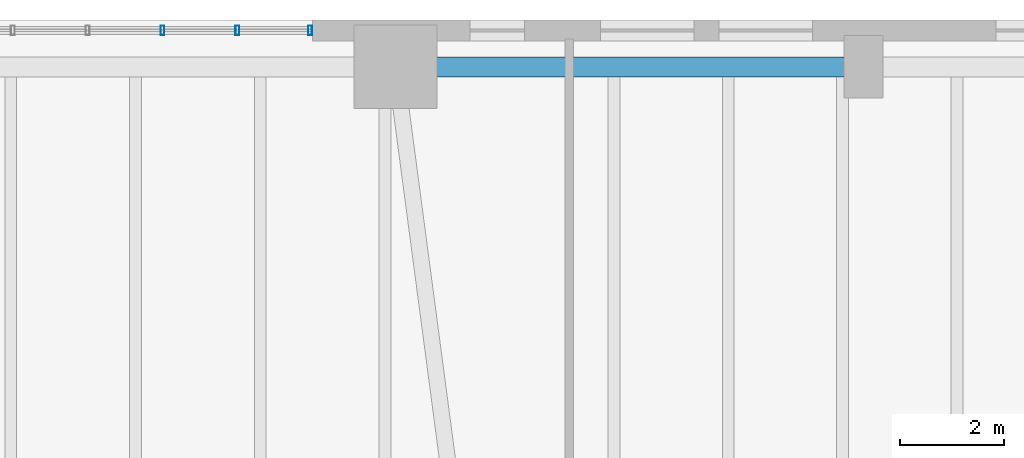
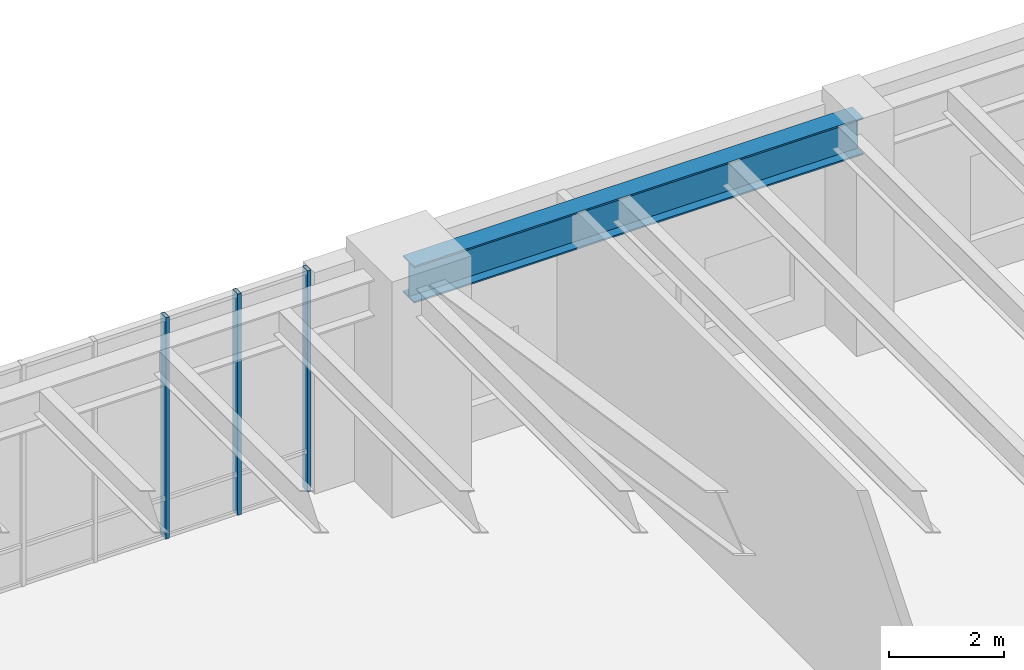
# One storey, part 18 of 26: 3 members, 1 beam, 1 element without a shape of its own.
"""IFC4 building model written with IfcOpenShell, lengths in metres."""

from ifc_helpers import new_model, si_unit, direction, frame, origin, origin_2d, place, context, subcontext, project, spatial, hollow_rectangle, i_section, extrude, material, layer, layer_set, material_profile, profile_set, type_object, element, aggregate, save


model = new_model("IFC4")

# Units and contexts
model_context = context("Model", 3, precision=1e-05, world=origin(), true_north=direction((0.0, 1.0)))
body_context = subcontext(model_context, "Body", "Model", "MODEL_VIEW")
ifc_project = project(units=[si_unit("LENGTHUNIT", "METRE"), si_unit("AREAUNIT", "SQUARE_METRE"), si_unit("VOLUMEUNIT", "CUBIC_METRE"), si_unit("PLANEANGLEUNIT", "RADIAN"), si_unit("MASSUNIT", "GRAM", prefix="KILO"), si_unit("THERMODYNAMICTEMPERATUREUNIT", "KELVIN"), si_unit("POWERUNIT", "WATT")], contexts=[model_context])

# Site, building, storey
site_placement = place(None, origin())
site = spatial("IfcSite", under=ifc_project, at=site_placement, CompositionType="ELEMENT")
building_placement = place(site_placement, origin())
building = spatial("IfcBuilding", under=site, at=building_placement, Name="Skarre Station Tower", CompositionType="ELEMENT")
storey_placement = place(building_placement, frame((0.0, 0.0, 6.0)))
storey = spatial("IfcBuildingStorey", under=building, at=storey_placement, Name="L02", CompositionType="ELEMENT", Elevation=6.0)

# Curtain wall, members
ifc_material_1 = material(Name="Thermally Broken Bronze-Anodized Aluminium & Triple Low-E Glass", Category="aluminium")
ifc_layer = layer(ifc_material_1, 0.199951171875, Name="Thermally Broken Bronze-Anodized Aluminium & Triple Low-E Glass")
ifc_layer_set = layer_set([ifc_layer], Name="Thermally Broken Bronze-Anodized Aluminium & Triple Low-E Glass")
curtain_wall_type = type_object("IfcCurtainWallType", Name="Podium Transit Arcade Stick Curtain Wall", PredefinedType="NOTDEFINED", material=ifc_layer_set)
curtain_wall_placement = place(storey_placement, origin())
curtain_wall = element("IfcCurtainWall", 1, at=curtain_wall_placement, inside=storey, type_object=curtain_wall_type, Name="L02 North Drop-Off Portal Curtain Wall", PredefinedType="NOTDEFINED")
ifc_material_2 = material(Name="Anodized Aluminium 6063-T6", Category="aluminium")
ifc_material_profile_1 = material_profile(ifc_material_2, hollow_rectangle(XDim=0.074951171875, YDim=0.179931640625, WallThickness=0.00390625, at=origin_2d()), Name="Anodized Aluminium 6063-T6")
ifc_profile_set_1 = profile_set([ifc_material_profile_1], Name="Anodized Aluminium 6063-T6")
member_type = type_object("IfcMemberType", Name="Curtain-Wall Unitised Tower Mullion 180x75", PredefinedType="MULLION", material=ifc_profile_set_1)
member_1_placement = place(storey_placement, frame((49.52001953125, 47.800048828125, 0.0), z_axis=(0.0, 0.0, 1.0), x_axis=(1.0, 0.0, 0.0)))
member_1 = element("IfcMember", 2, at=member_1_placement, type_object=member_type, Name="L02 North Drop-Off Portal Curtain Wall Mullion 9", PredefinedType="MULLION", context=body_context, shape_type="SweptSolid", body=[
    extrude(hollow_rectangle(XDim=0.074951171875, YDim=0.179931640625, WallThickness=0.00390625, at=origin_2d()), origin(), (0.0, 0.0, 1.0), 4.68994140625),
])
member_2_placement = place(storey_placement, frame((50.9599609375, 47.800048828125, 0.0), z_axis=(0.0, 0.0, 1.0), x_axis=(1.0, 0.0, 0.0)))
member_2 = element("IfcMember", 3, at=member_2_placement, type_object=member_type, Name="L02 North Drop-Off Portal Curtain Wall Mullion 10", PredefinedType="MULLION", context=body_context, shape_type="SweptSolid", body=[
    extrude(hollow_rectangle(XDim=0.074951171875, YDim=0.179931640625, WallThickness=0.00390625, at=origin_2d()), origin(), (0.0, 0.0, 1.0), 4.68994140625),
])
member_3_placement = place(storey_placement, frame((52.360107421875, 47.800048828125, 0.0), z_axis=(0.0, 0.0, 1.0), x_axis=(1.0, 0.0, 0.0)))
member_3 = element("IfcMember", 4, at=member_3_placement, type_object=member_type, Name="L02 North Drop-Off Portal Curtain Wall Mullion 11", PredefinedType="MULLION", context=body_context, shape_type="SweptSolid", body=[
    extrude(hollow_rectangle(XDim=0.074951171875, YDim=0.179931640625, WallThickness=0.00390625, at=origin_2d()), origin(), (0.0, 0.0, 1.0), 4.68994140625),
])
aggregate(curtain_wall, [member_1, member_2, member_3])

# Beam
ifc_material_3 = material(Name="Steel ASTM A992 Grade 50", Category="steel")
ifc_material_profile_2 = material_profile(ifc_material_3, i_section(OverallWidth=0.384033203125, OverallDepth=0.785888671875, WebThickness=0.02001953125, FlangeThickness=0.032958984375, at=origin_2d()), Name="Steel ASTM A992 Grade 50")
ifc_profile_set_2 = profile_set([ifc_material_profile_2], Name="Steel ASTM A992 Grade 50")
beam_type = type_object("IfcBeamType", Name="Steel Spandrel W30X211", PredefinedType="SPANDREL", material=ifc_profile_set_2)
beam_placement = place(storey_placement, frame((54.0, 47.10009765625, 4.297119140625), z_axis=(1.0, 0.0, 0.0), x_axis=(0.0, 1.0, 0.0)))
element("IfcBeam", 5, at=beam_placement, inside=storey, type_object=beam_type, Name="L02 North Podium Spandrel 7", PredefinedType="SPANDREL", context=body_context, shape_type="SweptSolid", body=[
    extrude(i_section(OverallWidth=0.384033203125, OverallDepth=0.785888671875, WebThickness=0.02001953125, FlangeThickness=0.032958984375, at=origin_2d()), origin(), (0.0, 0.0, 1.0), 9.0),
])

save(model, "model.ifc")
